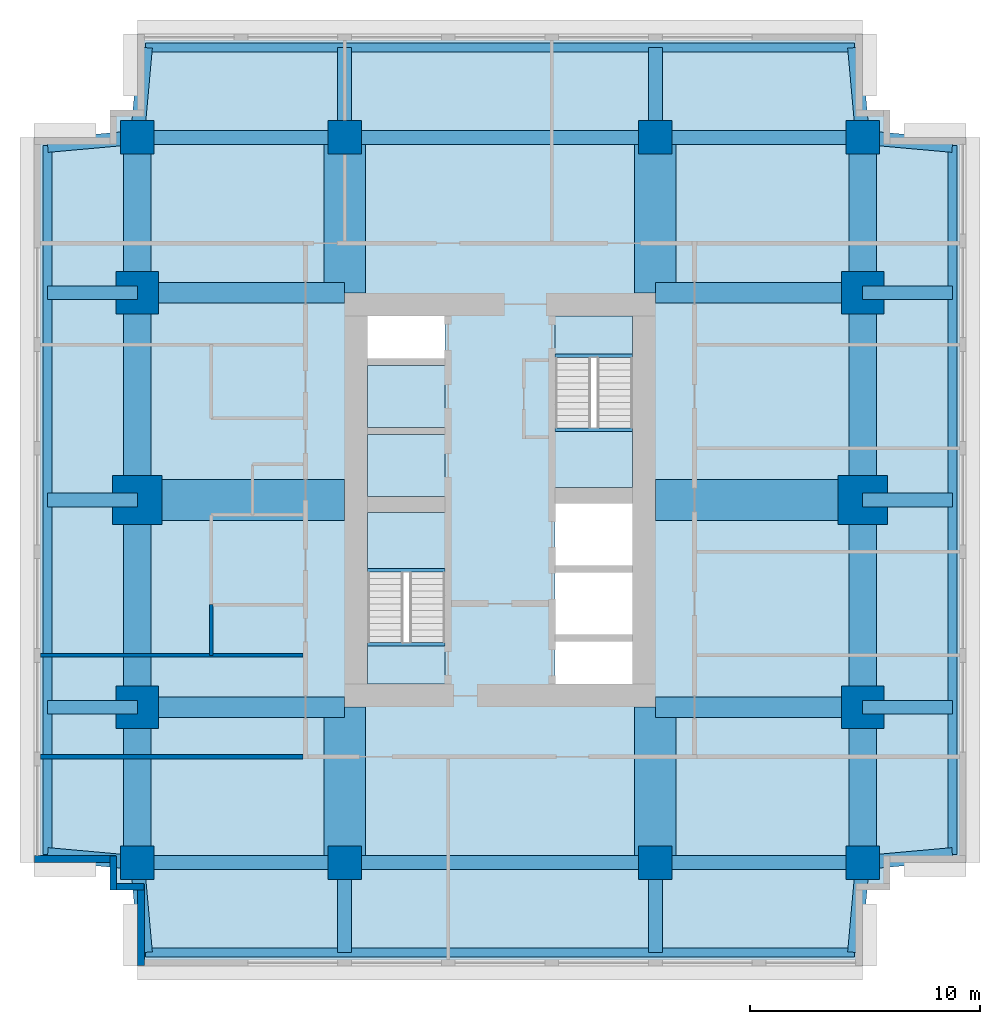
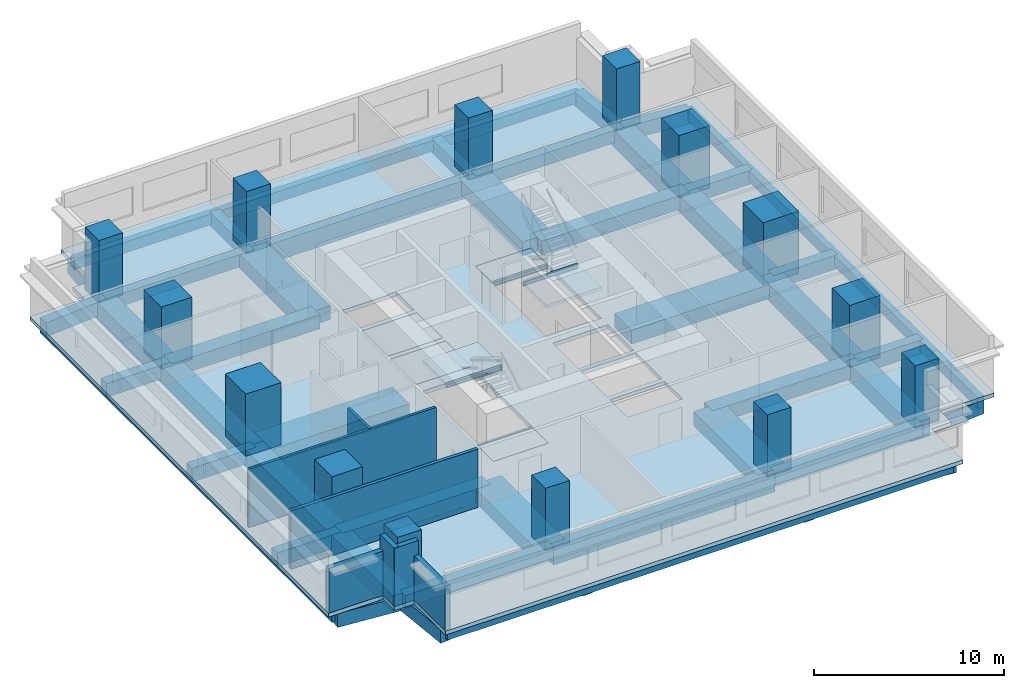
# One storey, part 1 of 5: 50 beams, 14 columns, 7 slabs, 7 walls, 2 elements without a shape of their own.
"""IFC4 building model written with IfcOpenShell, lengths in metres."""

from ifc_helpers import new_model, si_unit, direction, frame, frame_2d, origin, origin_2d, place, context, subcontext, project, spatial, polyline, rectangle, i_section, outline, extrude, material, layer, layer_set, material_profile, profile_set, type_object, element, aggregate, save


model = new_model("IFC4")

# Units and contexts
model_context = context("Model", 3, precision=1e-05, world=origin(), true_north=direction((0.0, 1.0)))
body_context = subcontext(model_context, "Body", "Model", "MODEL_VIEW")
ifc_project = project(units=[si_unit("LENGTHUNIT", "METRE"), si_unit("AREAUNIT", "SQUARE_METRE"), si_unit("VOLUMEUNIT", "CUBIC_METRE"), si_unit("PLANEANGLEUNIT", "RADIAN"), si_unit("MASSUNIT", "GRAM", prefix="KILO")], contexts=[model_context])

# Site, building, storey
site_placement = place(None, origin())
site = spatial("IfcSite", under=ifc_project, at=site_placement, CompositionType="ELEMENT")
building_placement = place(site_placement, origin())
building = spatial("IfcBuilding", under=site, at=building_placement, Name="Namib Vertical Campus", CompositionType="ELEMENT")
storey_placement = place(building_placement, frame((0.0, 0.0, 261.0)))
storey = spatial("IfcBuildingStorey", under=building, at=storey_placement, Name="L61", CompositionType="ELEMENT", Elevation=261.0)

# Columns
ifc_material_1 = material(Name="Concrete C60/75", Category="concrete")
ifc_material_profile_1 = material_profile(ifc_material_1, rectangle(XDim=1.449951171875, YDim=1.449951171875, at=origin_2d()))
ifc_profile_set_1 = profile_set([ifc_material_profile_1], Name="Concrete C60/75")
column_type_1 = type_object("IfcColumnType", Name="Column RC 1450x1450", PredefinedType="COLUMN", material=ifc_profile_set_1)
for number, where, z_axis, x_axis, name in (
    (1, (4.5, 4.5, 0.0), (0.0, 0.0, 1.0), (1.0, 0.0, 0.0), "Column C145 L61"),
    (2, (13.5, 4.5, 0.0), (0.0, 0.0, 1.0), (1.0, 0.0, 0.0), "Column C145 L61"),
    (3, (27.0, 4.5, 0.0), (0.0, 0.0, 1.0), (1.0, 0.0, 0.0), "Column C145 L61"),
    (4, (36.0, 4.5, 0.0), (0.0, 0.0, 1.0), (1.0, 0.0, 0.0), "Column C145 L61"),
    (5, (4.5, 36.0, 0.0), (0.0, 0.0, 1.0), (1.0, 0.0, 0.0), "Column C145 L61"),
    (6, (13.5, 36.0, 0.0), (0.0, 0.0, 1.0), (1.0, 0.0, 0.0), "Column C145 L61"),
    (7, (27.0, 36.0, 0.0), (0.0, 0.0, 1.0), (1.0, 0.0, 0.0), "Column C145 L61"),
    (8, (36.0, 36.0, 0.0), (0.0, 0.0, 1.0), (1.0, 0.0, 0.0), "Column C145 L61"),
):
    element("IfcColumn", number, at=place(storey_placement, frame(where, z_axis=z_axis, x_axis=x_axis)), inside=storey, type_object=column_type_1, Name=name, PredefinedType="COLUMN", context=body_context, shape_type="SweptSolid", body=[
        extrude(rectangle(XDim=1.449951171875, YDim=1.449951171875, at=origin_2d()), origin(), (0.0, 0.0, 1.0), 4.0),
    ])
ifc_material_2 = material(Name="Concrete C60/75", Category="concrete")
ifc_material_profile_2 = material_profile(ifc_material_2, rectangle(XDim=1.85009765625, YDim=1.85009765625, at=origin_2d()))
ifc_profile_set_2 = profile_set([ifc_material_profile_2], Name="Concrete C60/75")
column_type_2 = type_object("IfcColumnType", Name="Column RC 1850x1850", PredefinedType="COLUMN", material=ifc_profile_set_2)
for number, where, z_axis, x_axis, name in (
    (9, (4.5, 11.25, 0.0), (0.0, 0.0, 1.0), (1.0, 0.0, 0.0), "Column C185 L61"),
    (10, (36.0, 11.25, 0.0), (0.0, 0.0, 1.0), (1.0, 0.0, 0.0), "Column C185 L61"),
    (11, (4.5, 29.25, 0.0), (0.0, 0.0, 1.0), (1.0, 0.0, 0.0), "Column C185 L61"),
    (12, (36.0, 29.25, 0.0), (0.0, 0.0, 1.0), (1.0, 0.0, 0.0), "Column C185 L61"),
):
    element("IfcColumn", number, at=place(storey_placement, frame(where, z_axis=z_axis, x_axis=x_axis)), inside=storey, type_object=column_type_2, Name=name, PredefinedType="COLUMN", context=body_context, shape_type="SweptSolid", body=[
        extrude(rectangle(XDim=1.85009765625, YDim=1.85009765625, at=origin_2d()), origin(), (0.0, 0.0, 1.0), 4.0),
    ])
ifc_material_3 = material(Name="Concrete C60/75", Category="concrete")
ifc_material_profile_3 = material_profile(ifc_material_3, rectangle(XDim=2.14990234375, YDim=2.14990234375, at=origin_2d()))
ifc_profile_set_3 = profile_set([ifc_material_profile_3], Name="Concrete C60/75")
column_type_3 = type_object("IfcColumnType", Name="Column RC 2150x2150", PredefinedType="COLUMN", material=ifc_profile_set_3)
for number, where, z_axis, x_axis, name in (
    (13, (4.5, 20.25, 0.0), (0.0, 0.0, 1.0), (1.0, 0.0, 0.0), "Column C215 L61"),
    (14, (36.0, 20.25, 0.0), (0.0, 0.0, 1.0), (1.0, 0.0, 0.0), "Column C215 L61"),
):
    element("IfcColumn", number, at=place(storey_placement, frame(where, z_axis=z_axis, x_axis=x_axis)), inside=storey, type_object=column_type_3, Name=name, PredefinedType="COLUMN", context=body_context, shape_type="SweptSolid", body=[
        extrude(rectangle(XDim=2.14990234375, YDim=2.14990234375, at=origin_2d()), origin(), (0.0, 0.0, 1.0), 4.0),
    ])

# Beams
ifc_material_4 = material(Name="Concrete C40/50", Category="concrete")
ifc_material_profile_4 = material_profile(ifc_material_4, rectangle(XDim=0.60009765625, YDim=0.89990234375, at=origin_2d()))
ifc_profile_set_4 = profile_set([ifc_material_profile_4], Name="Concrete C40/50")
beam_type_1 = type_object("IfcBeamType", Name="Cantilever girder RC 600x900", PredefinedType="BEAM", material=ifc_profile_set_4)
beam_1_placement = place(storey_placement, frame((4.5, 4.5, -0.699951171875), z_axis=(0.089411326146, -0.995994786511, 0.0), x_axis=(0.995994786511, 0.089411326146, 0.0)))
element("IfcBeam", 15, at=beam_1_placement, inside=storey, type_object=beam_type_1, Name="Beam B3 L61", PredefinedType="BEAM", context=body_context, shape_type="SweptSolid", body=[
    extrude(rectangle(XDim=0.60009765625, YDim=0.89990234375, at=origin_2d()), origin(), (0.0, 0.0, 1.0), 3.91552734375),
])
for number, where, z_axis, x_axis, name in (
    (16, (13.5, 4.5, -0.699951171875), (0.0, -1.0, 0.0), (1.0, 0.0, 0.0), "Beam B3 L61"),
    (17, (27.0, 4.5, -0.699951171875), (0.0, -1.0, 0.0), (1.0, 0.0, 0.0), "Beam B3 L61"),
):
    element("IfcBeam", number, at=place(storey_placement, frame(where, z_axis=z_axis, x_axis=x_axis)), inside=storey, type_object=beam_type_1, Name=name, PredefinedType="BEAM", context=body_context, shape_type="SweptSolid", body=[
        extrude(rectangle(XDim=0.60009765625, YDim=0.89990234375, at=origin_2d()), origin(), (0.0, 0.0, 1.0), 3.89990234375),
    ])
for number, where, z_axis, x_axis, name in (
    (18, (36.0, 4.5, -0.699951171875), (-0.089411326146, -0.995994786511, 0.0), (0.995994786511, -0.089411326146, 0.0), "Beam B3 L61"),
    (19, (4.5, 36.0, -0.699951171875), (0.089411326146, 0.995994786511, 0.0), (-0.995994786511, 0.089411326146, 0.0), "Beam B3 L61"),
):
    element("IfcBeam", number, at=place(storey_placement, frame(where, z_axis=z_axis, x_axis=x_axis)), inside=storey, type_object=beam_type_1, Name=name, PredefinedType="BEAM", context=body_context, shape_type="SweptSolid", body=[
        extrude(rectangle(XDim=0.60009765625, YDim=0.89990234375, at=origin_2d()), origin(), (0.0, 0.0, 1.0), 3.91552734375),
    ])
for number, where, z_axis, x_axis, name in (
    (20, (13.5, 36.0, -0.699951171875), (0.0, 1.0, 0.0), (-1.0, 0.0, 0.0), "Beam B3 L61"),
    (21, (27.0, 36.0, -0.699951171875), (0.0, 1.0, 0.0), (-1.0, 0.0, 0.0), "Beam B3 L61"),
):
    element("IfcBeam", number, at=place(storey_placement, frame(where, z_axis=z_axis, x_axis=x_axis)), inside=storey, type_object=beam_type_1, Name=name, PredefinedType="BEAM", context=body_context, shape_type="SweptSolid", body=[
        extrude(rectangle(XDim=0.60009765625, YDim=0.89990234375, at=origin_2d()), origin(), (0.0, 0.0, 1.0), 3.89990234375),
    ])
for number, where, z_axis, x_axis, name in (
    (22, (36.0, 36.0, -0.699951171875), (-0.089411326146, 0.995994786511, 0.0), (-0.995994786511, -0.089411326146, 0.0), "Beam B3 L61"),
    (23, (4.5, 4.5, -0.699951171875), (-0.995994786511, 0.089411326146, 0.0), (-0.089411326146, -0.995994786511, 0.0), "Beam B3 L61"),
):
    element("IfcBeam", number, at=place(storey_placement, frame(where, z_axis=z_axis, x_axis=x_axis)), inside=storey, type_object=beam_type_1, Name=name, PredefinedType="BEAM", context=body_context, shape_type="SweptSolid", body=[
        extrude(rectangle(XDim=0.60009765625, YDim=0.89990234375, at=origin_2d()), origin(), (0.0, 0.0, 1.0), 3.91552734375),
    ])
for number, where, z_axis, x_axis, name in (
    (24, (4.5, 11.25, -0.699951171875), (-1.0, 0.0, 0.0), (0.0, -1.0, 0.0), "Beam B3 L61"),
    (25, (4.5, 20.25, -0.699951171875), (-1.0, 0.0, 0.0), (0.0, -1.0, 0.0), "Beam B3 L61"),
    (26, (4.5, 29.25, -0.699951171875), (-1.0, 0.0, 0.0), (0.0, -1.0, 0.0), "Beam B3 L61"),
):
    element("IfcBeam", number, at=place(storey_placement, frame(where, z_axis=z_axis, x_axis=x_axis)), inside=storey, type_object=beam_type_1, Name=name, PredefinedType="BEAM", context=body_context, shape_type="SweptSolid", body=[
        extrude(rectangle(XDim=0.60009765625, YDim=0.89990234375, at=origin_2d()), origin(), (0.0, 0.0, 1.0), 3.89990234375),
    ])
for number, where, z_axis, x_axis, name in (
    (27, (4.5, 36.0, -0.699951171875), (-0.995994786511, -0.089411326146, 0.0), (0.089411326146, -0.995994786511, 0.0), "Beam B3 L61"),
    (28, (36.0, 4.5, -0.699951171875), (0.995994786511, 0.089411326146, 0.0), (-0.089411326146, 0.995994786511, 0.0), "Beam B3 L61"),
):
    element("IfcBeam", number, at=place(storey_placement, frame(where, z_axis=z_axis, x_axis=x_axis)), inside=storey, type_object=beam_type_1, Name=name, PredefinedType="BEAM", context=body_context, shape_type="SweptSolid", body=[
        extrude(rectangle(XDim=0.60009765625, YDim=0.89990234375, at=origin_2d()), origin(), (0.0, 0.0, 1.0), 3.91552734375),
    ])
for number, where, z_axis, x_axis, name in (
    (29, (36.0, 11.25, -0.699951171875), (1.0, 0.0, 0.0), (0.0, 1.0, 0.0), "Beam B3 L61"),
    (30, (36.0, 20.25, -0.699951171875), (1.0, 0.0, 0.0), (0.0, 1.0, 0.0), "Beam B3 L61"),
    (31, (36.0, 29.25, -0.699951171875), (1.0, 0.0, 0.0), (0.0, 1.0, 0.0), "Beam B3 L61"),
):
    element("IfcBeam", number, at=place(storey_placement, frame(where, z_axis=z_axis, x_axis=x_axis)), inside=storey, type_object=beam_type_1, Name=name, PredefinedType="BEAM", context=body_context, shape_type="SweptSolid", body=[
        extrude(rectangle(XDim=0.60009765625, YDim=0.89990234375, at=origin_2d()), origin(), (0.0, 0.0, 1.0), 3.89990234375),
    ])
beam_2_placement = place(storey_placement, frame((36.0, 36.0, -0.699951171875), z_axis=(0.995994786511, -0.089411326146, 0.0), x_axis=(0.089411326146, 0.995994786511, 0.0)))
element("IfcBeam", 32, at=beam_2_placement, inside=storey, type_object=beam_type_1, Name="Beam B3 L61", PredefinedType="BEAM", context=body_context, shape_type="SweptSolid", body=[
    extrude(rectangle(XDim=0.60009765625, YDim=0.89990234375, at=origin_2d()), origin(), (0.0, 0.0, 1.0), 3.91552734375),
])
ifc_material_5 = material(Name="Concrete C40/50", Category="concrete")
ifc_material_profile_5 = material_profile(ifc_material_5, rectangle(XDim=0.39990234375, YDim=0.699951171875, at=origin_2d()))
ifc_profile_set_5 = profile_set([ifc_material_profile_5], Name="Concrete C40/50")
beam_type_2 = type_object("IfcBeamType", Name="Edge beam RC 400x700", PredefinedType="SPANDREL", material=ifc_profile_set_5)
for number, where, z_axis, x_axis, name in (
    (33, (4.85009765625, 0.60009765625, -0.60009765625), (1.0, 0.0, 0.0), (0.0, 1.0, 0.0), "Beam B4 L61"),
    (34, (4.85009765625, 39.89990234375, -0.60009765625), (1.0, 0.0, 0.0), (0.0, 1.0, 0.0), "Beam B4 L61"),
    (35, (0.60009765625, 4.85009765625, -0.60009765625), (0.0, 1.0, 0.0), (-1.0, 0.0, 0.0), "Beam B4 L61"),
    (36, (39.89990234375, 4.85009765625, -0.60009765625), (0.0, 1.0, 0.0), (-1.0, 0.0, 0.0), "Beam B4 L61"),
):
    element("IfcBeam", number, at=place(storey_placement, frame(where, z_axis=z_axis, x_axis=x_axis)), inside=storey, type_object=beam_type_2, Name=name, PredefinedType="SPANDREL", context=body_context, shape_type="SweptSolid", body=[
        extrude(rectangle(XDim=0.39990234375, YDim=0.699951171875, at=origin_2d()), origin(), (0.0, 0.0, 1.0), 30.7998046875),
    ])
ifc_material_6 = material(Name="Concrete C40/50", Category="concrete")
ifc_material_profile_6 = material_profile(ifc_material_6, rectangle(XDim=0.89990234375, YDim=0.89990234375, at=origin_2d()))
ifc_profile_set_6 = profile_set([ifc_material_profile_6], Name="Concrete C40/50")
beam_type_3 = type_object("IfcBeamType", Name="Face girder RC 900x900", PredefinedType="BEAM", material=ifc_profile_set_6)
for number, where, z_axis, x_axis, name in (
    (37, (4.5, 11.25, -0.699951171875), (1.0, 0.0, 0.0), (0.0, 1.0, 0.0), "Beam B10 L61"),
    (38, (36.0, 11.25, -0.699951171875), (-1.0, 0.0, 0.0), (0.0, -1.0, 0.0), "Beam B10 L61"),
    (39, (4.5, 29.25, -0.699951171875), (1.0, 0.0, 0.0), (0.0, 1.0, 0.0), "Beam B10 L61"),
    (40, (36.0, 29.25, -0.699951171875), (-1.0, 0.0, 0.0), (0.0, -1.0, 0.0), "Beam B10 L61"),
):
    element("IfcBeam", number, at=place(storey_placement, frame(where, z_axis=z_axis, x_axis=x_axis)), inside=storey, type_object=beam_type_3, Name=name, PredefinedType="BEAM", context=body_context, shape_type="SweptSolid", body=[
        extrude(rectangle(XDim=0.89990234375, YDim=0.89990234375, at=origin_2d()), origin(), (0.0, 0.0, 1.0), 9.0),
    ])
ifc_material_7 = material(Name="Concrete C40/50", Category="concrete")
ifc_material_profile_7 = material_profile(ifc_material_7, rectangle(XDim=1.199951171875, YDim=1.10009765625, at=origin_2d()))
ifc_profile_set_7 = profile_set([ifc_material_profile_7], Name="Concrete C40/50")
beam_type_4 = type_object("IfcBeamType", Name="Face ring beam RC 1200x1100", PredefinedType="BEAM", material=ifc_profile_set_7)
beam_3_placement = place(storey_placement, frame((4.5, 4.5, -0.800048828125), z_axis=(0.0, 1.0, 0.0), x_axis=(-1.0, 0.0, 0.0)))
element("IfcBeam", 41, at=beam_3_placement, inside=storey, type_object=beam_type_4, Name="Beam B11 L61", PredefinedType="BEAM", context=body_context, shape_type="SweptSolid", body=[
    extrude(rectangle(XDim=1.199951171875, YDim=1.10009765625, at=origin_2d()), origin(), (0.0, 0.0, 1.0), 6.75),
])
for number, where, z_axis, x_axis, name in (
    (42, (4.5, 11.25, -0.800048828125), (0.0, 1.0, 0.0), (-1.0, 0.0, 0.0), "Beam B11 L61"),
    (43, (4.5, 20.25, -0.800048828125), (0.0, 1.0, 0.0), (-1.0, 0.0, 0.0), "Beam B11 L61"),
):
    element("IfcBeam", number, at=place(storey_placement, frame(where, z_axis=z_axis, x_axis=x_axis)), inside=storey, type_object=beam_type_4, Name=name, PredefinedType="BEAM", context=body_context, shape_type="SweptSolid", body=[
        extrude(rectangle(XDim=1.199951171875, YDim=1.10009765625, at=origin_2d()), origin(), (0.0, 0.0, 1.0), 9.0),
    ])
for number, where, z_axis, x_axis, name in (
    (44, (4.5, 29.25, -0.800048828125), (0.0, 1.0, 0.0), (-1.0, 0.0, 0.0), "Beam B11 L61"),
    (45, (36.0, 4.5, -0.800048828125), (0.0, 1.0, 0.0), (-1.0, 0.0, 0.0), "Beam B11 L61"),
):
    element("IfcBeam", number, at=place(storey_placement, frame(where, z_axis=z_axis, x_axis=x_axis)), inside=storey, type_object=beam_type_4, Name=name, PredefinedType="BEAM", context=body_context, shape_type="SweptSolid", body=[
        extrude(rectangle(XDim=1.199951171875, YDim=1.10009765625, at=origin_2d()), origin(), (0.0, 0.0, 1.0), 6.75),
    ])
for number, where, z_axis, x_axis, name in (
    (46, (36.0, 11.25, -0.800048828125), (0.0, 1.0, 0.0), (-1.0, 0.0, 0.0), "Beam B11 L61"),
    (47, (36.0, 20.25, -0.800048828125), (0.0, 1.0, 0.0), (-1.0, 0.0, 0.0), "Beam B11 L61"),
):
    element("IfcBeam", number, at=place(storey_placement, frame(where, z_axis=z_axis, x_axis=x_axis)), inside=storey, type_object=beam_type_4, Name=name, PredefinedType="BEAM", context=body_context, shape_type="SweptSolid", body=[
        extrude(rectangle(XDim=1.199951171875, YDim=1.10009765625, at=origin_2d()), origin(), (0.0, 0.0, 1.0), 9.0),
    ])
beam_4_placement = place(storey_placement, frame((36.0, 29.25, -0.800048828125), z_axis=(0.0, 1.0, 0.0), x_axis=(-1.0, 0.0, 0.0)))
element("IfcBeam", 48, at=beam_4_placement, inside=storey, type_object=beam_type_4, Name="Beam B11 L61", PredefinedType="BEAM", context=body_context, shape_type="SweptSolid", body=[
    extrude(rectangle(XDim=1.199951171875, YDim=1.10009765625, at=origin_2d()), origin(), (0.0, 0.0, 1.0), 6.75),
])
ifc_material_8 = material(Name="Steel S355JR", Category="steel")
ifc_material_profile_8 = material_profile(ifc_material_8, i_section(OverallWidth=0.14599609375, OverallDepth=0.25146484375, WebThickness=0.006103515625, FlangeThickness=0.008544921875, FilletRadius=0.007568359375, at=origin_2d()))
ifc_profile_set_8 = profile_set([ifc_material_profile_8], Name="Steel S355JR")
beam_type_5 = type_object("IfcBeamType", Name="Landing trimmer UB 254x146x31", PredefinedType="BEAM", material=ifc_profile_set_8)
for number, where, z_axis, x_axis, name in (
    (49, (14.5, 13.97705078125, -0.125732421875), (1.0, 0.0, 0.0), (0.0, 1.0, 0.0), "Landing trimmer LT1 A-S1 L61 1"),
    (50, (14.5, 17.203125, 1.874267578125), (1.0, 0.0, 0.0), (0.0, 1.0, 0.0), "Landing trimmer LT1 A-S1 L61 2"),
    (51, (22.64990234375, 26.52294921875, -0.125732421875), (1.0, 0.0, 0.0), (0.0, 1.0, 0.0), "Landing trimmer LT1 A-S2 L61 1"),
    (52, (22.64990234375, 23.296875, 1.874267578125), (1.0, 0.0, 0.0), (0.0, 1.0, 0.0), "Landing trimmer LT1 A-S2 L61 2"),
):
    element("IfcBeam", number, at=place(storey_placement, frame(where, z_axis=z_axis, x_axis=x_axis)), inside=storey, type_object=beam_type_5, Name=name, PredefinedType="BEAM", context=body_context, shape_type="SweptSolid", body=[
        extrude(i_section(OverallWidth=0.14599609375, OverallDepth=0.25146484375, WebThickness=0.006103515625, FlangeThickness=0.008544921875, FilletRadius=0.007568359375, at=origin_2d()), origin(), (0.0, 0.0, 1.0), 3.35009765625),
    ])
ifc_material_9 = material(Name="Concrete C40/50", Category="concrete")
ifc_material_profile_9 = material_profile(ifc_material_9, rectangle(XDim=0.60009765625, YDim=1.199951171875, at=origin_2d()))
ifc_profile_set_9 = profile_set([ifc_material_profile_9], Name="Concrete C40/50")
beam_type_6 = type_object("IfcBeamType", Name="Long-span ring beam RC 600x1200", PredefinedType="BEAM", material=ifc_profile_set_9)
for number, where, z_axis, x_axis, name in (
    (53, (13.5, 4.5, -0.85009765625), (1.0, 0.0, 0.0), (0.0, 1.0, 0.0), "Beam B9 L61"),
    (54, (13.5, 36.0, -0.85009765625), (1.0, 0.0, 0.0), (0.0, 1.0, 0.0), "Beam B9 L61"),
):
    element("IfcBeam", number, at=place(storey_placement, frame(where, z_axis=z_axis, x_axis=x_axis)), inside=storey, type_object=beam_type_6, Name=name, PredefinedType="BEAM", context=body_context, shape_type="SweptSolid", body=[
        extrude(rectangle(XDim=0.60009765625, YDim=1.199951171875, at=origin_2d()), origin(), (0.0, 0.0, 1.0), 13.5),
    ])
ifc_material_10 = material(Name="Concrete C40/50", Category="concrete")
ifc_material_profile_10 = material_profile(ifc_material_10, rectangle(XDim=1.800048828125, YDim=0.89990234375, at=origin_2d()))
ifc_profile_set_10 = profile_set([ifc_material_profile_10], Name="Concrete C40/50")
beam_type_7 = type_object("IfcBeamType", Name="Outrigger line girder RC 1800x900", PredefinedType="BEAM", material=ifc_profile_set_10)
for number, where, z_axis, x_axis, name in (
    (55, (13.5, 4.5, -0.699951171875), (0.0, 1.0, 0.0), (-1.0, 0.0, 0.0), "Beam B12 L61"),
    (56, (13.5, 36.0, -0.699951171875), (0.0, -1.0, 0.0), (1.0, 0.0, 0.0), "Beam B12 L61"),
    (57, (27.0, 4.5, -0.699951171875), (0.0, 1.0, 0.0), (-1.0, 0.0, 0.0), "Beam B12 L61"),
    (58, (27.0, 36.0, -0.699951171875), (0.0, -1.0, 0.0), (1.0, 0.0, 0.0), "Beam B12 L61"),
):
    element("IfcBeam", number, at=place(storey_placement, frame(where, z_axis=z_axis, x_axis=x_axis)), inside=storey, type_object=beam_type_7, Name=name, PredefinedType="BEAM", context=body_context, shape_type="SweptSolid", body=[
        extrude(rectangle(XDim=1.800048828125, YDim=0.89990234375, at=origin_2d()), origin(), (0.0, 0.0, 1.0), 6.75),
    ])
for number, where, z_axis, x_axis, name in (
    (59, (4.5, 20.25, -0.699951171875), (1.0, 0.0, 0.0), (0.0, 1.0, 0.0), "Beam B12 L61"),
    (60, (36.0, 20.25, -0.699951171875), (-1.0, 0.0, 0.0), (0.0, -1.0, 0.0), "Beam B12 L61"),
):
    element("IfcBeam", number, at=place(storey_placement, frame(where, z_axis=z_axis, x_axis=x_axis)), inside=storey, type_object=beam_type_7, Name=name, PredefinedType="BEAM", context=body_context, shape_type="SweptSolid", body=[
        extrude(rectangle(XDim=1.800048828125, YDim=0.89990234375, at=origin_2d()), origin(), (0.0, 0.0, 1.0), 9.0),
    ])
ifc_material_11 = material(Name="Concrete C40/50", Category="concrete")
ifc_material_profile_11 = material_profile(ifc_material_11, rectangle(XDim=0.60009765625, YDim=0.800048828125, at=origin_2d()))
ifc_profile_set_11 = profile_set([ifc_material_profile_11], Name="Concrete C40/50")
beam_type_8 = type_object("IfcBeamType", Name="Ring beam RC 600x800", PredefinedType="BEAM", material=ifc_profile_set_11)
for number, where, z_axis, x_axis, name in (
    (61, (4.5, 4.5, -0.64990234375), (1.0, 0.0, 0.0), (0.0, 1.0, 0.0), "Beam B1 L61"),
    (62, (27.0, 4.5, -0.64990234375), (1.0, 0.0, 0.0), (0.0, 1.0, 0.0), "Beam B1 L61"),
    (63, (4.5, 36.0, -0.64990234375), (1.0, 0.0, 0.0), (0.0, 1.0, 0.0), "Beam B1 L61"),
    (64, (27.0, 36.0, -0.64990234375), (1.0, 0.0, 0.0), (0.0, 1.0, 0.0), "Beam B1 L61"),
):
    element("IfcBeam", number, at=place(storey_placement, frame(where, z_axis=z_axis, x_axis=x_axis)), inside=storey, type_object=beam_type_8, Name=name, PredefinedType="BEAM", context=body_context, shape_type="SweptSolid", body=[
        extrude(rectangle(XDim=0.60009765625, YDim=0.800048828125, at=origin_2d()), origin(), (0.0, 0.0, 1.0), 9.0),
    ])

# Slabs
ifc_material_12 = material(Name="Concrete C40/50", Category="concrete")
ifc_layer_1 = layer(ifc_material_12, 0.25)
ifc_layer_set_1 = layer_set([ifc_layer_1], Name="Concrete C40/50")
slab_type_1 = type_object("IfcSlabType", Name="Floor slab 250", PredefinedType="FLOOR", material=ifc_layer_set_1)
slab_1_placement = place(storey_placement, frame((0.0, 0.0, -0.25)))
element("IfcSlab", 65, at=slab_1_placement, inside=storey, type_object=slab_type_1, Name="Floor slab A L61", PredefinedType="FLOOR", context=body_context, shape_type="SweptSolid", body=[
    extrude(outline(polyline([(4.5, 0.0), (36.0, 0.0), (36.0, 3.300048828125), (37.199951171875, 3.300048828125), (37.199951171875, 4.5), (40.5, 4.5), (40.5, 36.0), (37.199951171875, 36.0), (37.199951171875, 37.199951171875), (36.0, 37.199951171875), (36.0, 40.5), (4.5, 40.5), (4.5, 37.199951171875), (3.300048828125, 37.199951171875), (3.300048828125, 36.0), (0.0, 36.0), (0.0, 4.5), (3.300048828125, 4.5), (3.300048828125, 3.300048828125), (4.5, 3.300048828125), (4.5, 0.0)]), holes=[polyline([(14.5, 12.25), (17.85009765625, 12.25), (17.85009765625, 19.699951171875), (14.5, 19.699951171875), (14.5, 12.25)]), polyline([(22.64990234375, 20.800048828125), (26.0, 20.800048828125), (26.0, 28.25), (22.64990234375, 28.25), (22.64990234375, 20.800048828125)]), polyline([(22.64990234375, 12.25), (26.0, 12.25), (26.0, 14.10009765625), (22.64990234375, 14.10009765625), (22.64990234375, 12.25)]), polyline([(14.5, 20.39990234375), (17.85009765625, 20.39990234375), (17.85009765625, 23.10009765625), (14.5, 23.10009765625), (14.5, 20.39990234375)]), polyline([(14.5, 23.39990234375), (17.85009765625, 23.39990234375), (17.85009765625, 26.10009765625), (14.5, 26.10009765625), (14.5, 23.39990234375)]), polyline([(14.5, 26.39990234375), (17.85009765625, 26.39990234375), (17.85009765625, 28.25), (14.5, 28.25), (14.5, 26.39990234375)]), polyline([(22.64990234375, 14.39990234375), (26.0, 14.39990234375), (26.0, 17.10009765625), (22.64990234375, 17.10009765625), (22.64990234375, 14.39990234375)]), polyline([(22.64990234375, 17.39990234375), (26.0, 17.39990234375), (26.0, 20.10009765625), (22.64990234375, 20.10009765625), (22.64990234375, 17.39990234375)])]), origin(), (0.0, 0.0, 1.0), 0.25),
])
ifc_material_13 = material(Name="Concrete C40/50 precast", Category="concrete")
ifc_layer_2 = layer(ifc_material_13, 0.25)
ifc_layer_set_2 = layer_set([ifc_layer_2], Name="Concrete C40/50 precast")
slab_type_2 = type_object("IfcSlabType", Name="Shaft infill floor 250", PredefinedType="FLOOR", material=ifc_layer_set_2)
slab_2_placement = place(storey_placement, frame((0.0, 0.0, -0.25)))
element("IfcSlab", 66, at=slab_2_placement, inside=storey, type_object=slab_type_2, Name="Shaft infill floor A L61 P1", PredefinedType="FLOOR", context=body_context, shape_type="SweptSolid", body=[
    extrude(outline(polyline([(14.5, 20.39990234375), (17.85009765625, 20.39990234375), (17.85009765625, 23.10009765625), (14.5, 23.10009765625), (14.5, 20.39990234375)])), origin(), (0.0, 0.0, 1.0), 0.25),
])
slab_3_placement = place(storey_placement, frame((0.0, 0.0, -0.25)))
element("IfcSlab", 67, at=slab_3_placement, inside=storey, type_object=slab_type_2, Name="Shaft infill floor A L61 P2", PredefinedType="FLOOR", context=body_context, shape_type="SweptSolid", body=[
    extrude(outline(polyline([(14.5, 23.39990234375), (17.85009765625, 23.39990234375), (17.85009765625, 26.10009765625), (14.5, 26.10009765625), (14.5, 23.39990234375)])), origin(), (0.0, 0.0, 1.0), 0.25),
])

# Stair, slabs
ifc_material_14 = material(Name="Concrete C40/50 precast", Category="concrete")
stair_type = type_object("IfcStairType", Name="Exit stair 4000 rise 24 risers 3350 wide", PredefinedType="HALF_TURN_STAIR", material=ifc_material_14)
stair_1_placement = place(storey_placement, origin())
stair_1 = element("IfcStair", 68, at=stair_1_placement, inside=storey, type_object=stair_type, Name="Exit stair A-S1 L61", PredefinedType="HALF_TURN_STAIR")
ifc_material_15 = material(Name="Concrete C40/50", Category="concrete")
ifc_layer_3 = layer(ifc_material_15, 0.199951171875)
ifc_layer_set_3 = layer_set([ifc_layer_3], Name="Concrete C40/50")
slab_type_3 = type_object("IfcSlabType", Name="Stair landing 200", PredefinedType="LANDING", material=ifc_layer_set_3)
slab_4_placement = place(storey_placement, frame((0.0, 0.0, -0.199951171875)))
slab_4 = element("IfcSlab", 69, at=slab_4_placement, type_object=slab_type_3, Name="A-S1 landing 1", PredefinedType="LANDING", context=body_context, shape_type="SweptSolid", body=[
    extrude(outline(polyline([(14.5, 12.25), (17.85009765625, 12.25), (17.85009765625, 13.90380859375), (14.5, 13.90380859375), (14.5, 12.25)])), origin(), (0.0, 0.0, 1.0), 0.199951171875),
])
slab_5_placement = place(storey_placement, frame((0.0, 0.0, 1.800048828125)))
slab_5 = element("IfcSlab", 70, at=slab_5_placement, type_object=slab_type_3, Name="A-S1 landing 2", PredefinedType="LANDING", context=body_context, shape_type="SweptSolid", body=[
    extrude(outline(polyline([(14.5, 17.276123046875), (17.85009765625, 17.276123046875), (17.85009765625, 19.699951171875), (14.5, 19.699951171875), (14.5, 17.276123046875)])), origin(), (0.0, 0.0, 1.0), 0.199951171875),
])
aggregate(stair_1, [slab_4, slab_5])

stair_2_placement = place(storey_placement, origin())
stair_2 = element("IfcStair", 71, at=stair_2_placement, inside=storey, type_object=stair_type, Name="Exit stair A-S2 L61", PredefinedType="HALF_TURN_STAIR")
slab_6_placement = place(storey_placement, frame((0.0, 0.0, -0.199951171875)))
slab_6 = element("IfcSlab", 72, at=slab_6_placement, type_object=slab_type_3, Name="A-S2 landing 1", PredefinedType="LANDING", context=body_context, shape_type="SweptSolid", body=[
    extrude(outline(polyline([(22.64990234375, 26.59619140625), (26.0, 26.59619140625), (26.0, 28.25), (22.64990234375, 28.25), (22.64990234375, 26.59619140625)])), origin(), (0.0, 0.0, 1.0), 0.199951171875),
])
slab_7_placement = place(storey_placement, frame((0.0, 0.0, 1.800048828125)))
slab_7 = element("IfcSlab", 73, at=slab_7_placement, type_object=slab_type_3, Name="A-S2 landing 2", PredefinedType="LANDING", context=body_context, shape_type="SweptSolid", body=[
    extrude(outline(polyline([(22.64990234375, 20.800048828125), (26.0, 20.800048828125), (26.0, 23.223876953125), (22.64990234375, 23.223876953125), (22.64990234375, 20.800048828125)])), origin(), (0.0, 0.0, 1.0), 0.199951171875),
])
aggregate(stair_2, [slab_6, slab_7])

# Walls
ifc_material_16 = material(Name="Concrete masonry", Category="masonry")
ifc_layer_4 = layer(ifc_material_16, 0.199951171875)
ifc_layer_set_4 = layer_set([ifc_layer_4], Name="Corridor wall 200")
wall_type_1 = type_object("IfcWallType", Name="Corridor wall 200", PredefinedType="SOLIDWALL", material=ifc_layer_set_4)
wall_1_placement = place(storey_placement, frame((0.300048828125, 9.10009765625, 0.0), z_axis=(0.0, 0.0, 1.0), x_axis=(1.0, 0.0, 0.0)))
element("IfcWall", 74, at=wall_1_placement, inside=storey, type_object=wall_type_1, Name="Partition A L61 BSW", PredefinedType="SOLIDWALL", context=body_context, shape_type="SweptSolid", body=[
    extrude(rectangle(XDim=11.39990234375, YDim=0.199951171875, at=frame_2d((5.699951171875, 0.0))), origin(), (0.0, 0.0, 1.0), 3.75),
])
ifc_material_17 = material(Name="Concrete C40/50", Category="concrete")
ifc_layer_5 = layer(ifc_material_17, 0.300048828125)
ifc_layer_set_5 = layer_set([ifc_layer_5], Name="Concrete C40/50")
wall_type_2 = type_object("IfcWallType", Name="External wall 300 board-marked concrete", PredefinedType="STANDARD", material=ifc_layer_set_5)
wall_2_placement = place(storey_placement, frame((0.02001953125, 4.64990234375, 0.0), z_axis=(0.0, 0.0, 1.0), x_axis=(1.0, 0.0, 0.0)))
element("IfcWall", 75, at=wall_2_placement, inside=storey, type_object=wall_type_2, Name="External wall L61 F17", PredefinedType="STANDARD", context=body_context, shape_type="SweptSolid", body=[
    extrude(rectangle(XDim=3.56005859375, YDim=0.300048828125, at=frame_2d((1.780029296875, 0.0))), origin(), (0.0, 0.0, 1.0), 2.85009765625),
])
for number, where, z_axis, x_axis, name in (
    (76, (3.449951171875, 4.780029296875, 0.0), (0.0, 0.0, 1.0), (0.0, -1.0, 0.0), "External wall L61 F18"),
    (77, (3.320068359375, 3.449951171875, 0.0), (0.0, 0.0, 1.0), (1.0, 0.0, 0.0), "External wall L61 F19"),
):
    element("IfcWall", number, at=place(storey_placement, frame(where, z_axis=z_axis, x_axis=x_axis)), inside=storey, type_object=wall_type_2, Name=name, PredefinedType="STANDARD", context=body_context, shape_type="SweptSolid", body=[
        extrude(rectangle(XDim=1.4599609375, YDim=0.300048828125, at=frame_2d((0.72998046875, 0.0))), origin(), (0.0, 0.0, 1.0), 3.75),
    ])
wall_3_placement = place(storey_placement, frame((4.64990234375, 3.580078125, 0.0), z_axis=(0.0, 0.0, 1.0), x_axis=(0.0, -1.0, 0.0)))
element("IfcWall", 78, at=wall_3_placement, inside=storey, type_object=wall_type_2, Name="External wall L61 F20", PredefinedType="STANDARD", context=body_context, shape_type="SweptSolid", body=[
    extrude(rectangle(XDim=3.56005859375, YDim=0.300048828125, at=frame_2d((1.780029296875, 0.0))), origin(), (0.0, 0.0, 1.0), 2.85009765625),
])
ifc_material_18 = material(Name="Gypsum board on steel studs", Category="steel")
ifc_layer_6 = layer(ifc_material_18, 0.14990234375)
ifc_layer_set_6 = layer_set([ifc_layer_6], Name="Gypsum board on steel studs")
wall_type_3 = type_object("IfcWallType", Name="Partition 150", PredefinedType="PARTITIONING", material=ifc_layer_set_6)
wall_4_placement = place(storey_placement, frame((0.300048828125, 13.5, 0.0), z_axis=(0.0, 0.0, 1.0), x_axis=(1.0, 0.0, 0.0)))
element("IfcWall", 79, at=wall_4_placement, inside=storey, type_object=wall_type_3, Name="Partition A L61 PW1", PredefinedType="PARTITIONING", context=body_context, shape_type="SweptSolid", body=[
    extrude(rectangle(XDim=11.39990234375, YDim=0.14990234375, at=frame_2d((5.699951171875, 0.0))), origin(), (0.0, 0.0, 1.0), 3.75),
])
wall_5_placement = place(storey_placement, frame((7.699951171875, 13.5, 0.0), z_axis=(0.0, 0.0, 1.0), x_axis=(0.0, 1.0, 0.0)))
element("IfcWall", 80, at=wall_5_placement, inside=storey, type_object=wall_type_3, Name="Partition A L61 WB1", PredefinedType="PARTITIONING", context=body_context, shape_type="SweptSolid", body=[
    extrude(rectangle(XDim=2.199951171875, YDim=0.14990234375, at=frame_2d((1.10009765625, 0.0))), origin(), (0.0, 0.0, 1.0), 3.75),
])

save(model, "model.ifc")
